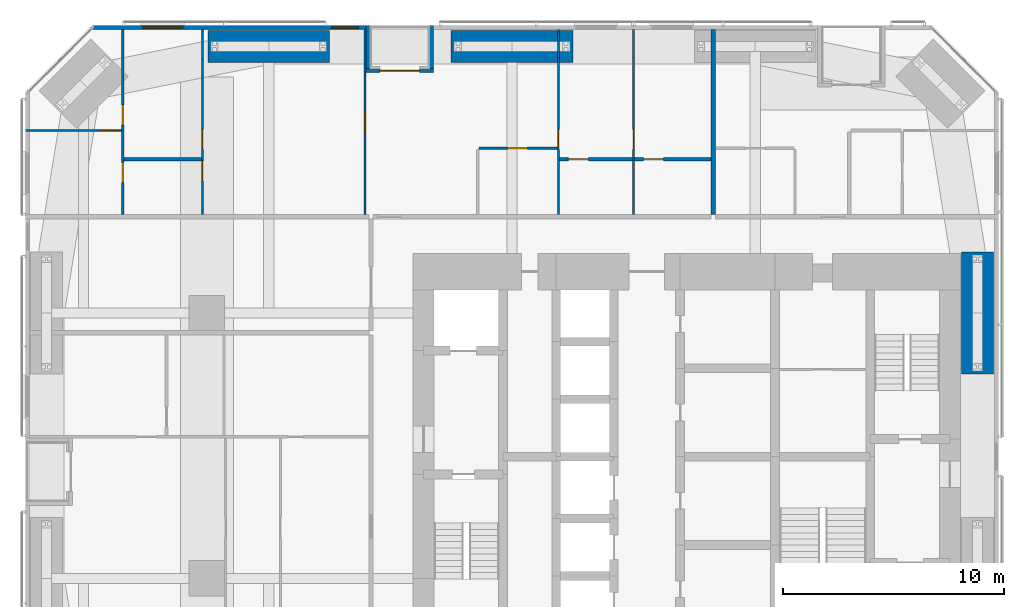
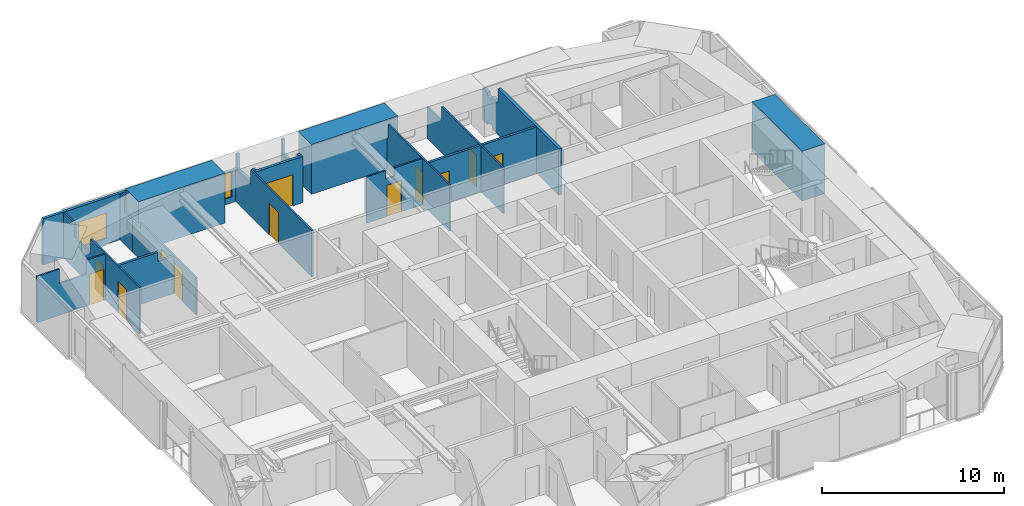
# One storey, part 22 of 24: 19 walls, 12 doors, 2 windows, 14 openings.
"""IFC4 building model written with IfcOpenShell, lengths in metres."""

from ifc_helpers import new_model, si_unit, direction, frame, frame_2d, origin, place, context, subcontext, project, spatial, polyline, rectangle, outline, extrude, material, layer, layer_set, constituent, constituent_set, type_object, element, fill, save


model = new_model("IFC4")

# Units and contexts
model_context = context("Model", 3, precision=1e-05, world=origin(), true_north=direction((0.0, 1.0)))
body_context = subcontext(model_context, "Body", "Model", "MODEL_VIEW")
ifc_project = project(units=[si_unit("LENGTHUNIT", "METRE"), si_unit("AREAUNIT", "SQUARE_METRE"), si_unit("VOLUMEUNIT", "CUBIC_METRE"), si_unit("PLANEANGLEUNIT", "RADIAN"), si_unit("MASSUNIT", "GRAM", prefix="KILO")], contexts=[model_context])

# Site, building, storey
site_placement = place(None, origin())
site = spatial("IfcSite", under=ifc_project, at=site_placement, CompositionType="ELEMENT")
building_placement = place(site_placement, origin())
building = spatial("IfcBuilding", under=site, at=building_placement, Name="Jalousie Tower", CompositionType="ELEMENT")
storey_placement = place(building_placement, frame((0.0, 0.0, 54.5)))
storey = spatial("IfcBuildingStorey", under=building, at=storey_placement, Name="L14", CompositionType="ELEMENT", Elevation=54.5)

# Wall
ifc_material_1 = material(Name="Concrete block ASTM C90", Category="concrete")
ifc_constituent_1 = constituent(ifc_material_1, Name="Body")
ifc_material_2 = material(Name="Render")
ifc_constituent_2 = constituent(ifc_material_2, Name="Finish")
ifc_constituent_set_1 = constituent_set(constituents=[ifc_constituent_1, ifc_constituent_2])
wall_type_1 = type_object("IfcWallType", Name="BATHROOM WALL 150", PredefinedType="PLUMBINGWALL", material=ifc_constituent_set_1)
wall_1_placement = place(storey_placement, frame((6.449951171875, 31.949951171875, 0.0), z_axis=(0.0, 0.0, 1.0), x_axis=(1.0, 0.0, 0.0)))
element("IfcWall", 1, at=wall_1_placement, inside=storey, type_object=wall_type_1, Name="Bathroom Wall 150 L14", PredefinedType="PLUMBINGWALL", context=body_context, shape_type="SweptSolid", body=[
    extrude(outline(polyline([(0.0, 0.0), (3.5, 0.0), (3.5, 3.110107421875), (3.5, 2.510009765625), (2.465087890625, 2.510009765625), (2.465087890625, 3.110107421875), (0.0, 3.110107421875), (0.0, 0.0)])), frame((0.0, 0.074951171875, 0.0), z_axis=(0.0, -1.0, 0.0), x_axis=(1.0, 0.0, 0.0)), (0.0, 0.0, 1.0), 0.14990234375),
])

# Wall, opening, door
wall_2_placement = place(storey_placement, frame((26.14990234375, 31.949951171875, 0.0), z_axis=(0.0, 0.0, 1.0), x_axis=(1.0, 0.0, 0.0)))
wall_2 = element("IfcWall", 2, at=wall_2_placement, inside=storey, type_object=wall_type_1, Name="Bathroom Wall 150 L14", PredefinedType="PLUMBINGWALL", context=body_context, shape_type="SweptSolid", body=[
    extrude(rectangle(XDim=3.300048828125, YDim=0.14990234375, at=frame_2d((1.64990234375, 0.0))), origin(), (0.0, 0.0, 1.0), 3.110107421875),
])
opening_1_placement = place(wall_2_placement, frame((0.39990234375, 0.0, 0.0)))
opening_1 = element("IfcOpeningElement", 3, at=opening_1_placement, cuts=wall_2, Name="Opening D3", PredefinedType="OPENING", context=body_context, shape_type="SweptSolid", body=[
    extrude(rectangle(XDim=0.89990234375, YDim=2.10009765625, at=frame_2d((0.449951171875, 1.050048828125))), frame((0.0, 0.0849609375, 0.0), z_axis=(0.0, -1.0, 0.0), x_axis=(1.0, 0.0, 0.0)), (0.0, 0.0, 1.0), 0.169921875),
])
ifc_material_3 = material(Name="Timber door", Category="wood")
door_type_1 = type_object("IfcDoorType", Name="BATHROOM DOOR 900", OperationType="SINGLE_SWING_LEFT", PredefinedType="DOOR", material=ifc_material_3)
door_1_placement = place(opening_1_placement, frame((0.89990234375, 0.0, 0.0), z_axis=(0.0, 0.0, 1.0), x_axis=(-1.0, 0.0, 0.0)))
door_1 = element("IfcDoor", 4, at=door_1_placement, inside=storey, type_object=door_type_1, Name="Apartment 1403 bedroom 3 bathroom door", OperationType="SINGLE_SWING_RIGHT", OverallHeight=2.10009765625, OverallWidth=0.89990234375, PredefinedType="DOOR", context=body_context, shape_type="SweptSolid", body=[
    extrude(rectangle(XDim=0.89990234375, YDim=2.10009765625, at=frame_2d((0.449951171875, 1.050048828125))), frame((0.0, 0.02490234375, 0.0), z_axis=(0.0, -1.0, 0.0), x_axis=(1.0, 0.0, 0.0)), (0.0, 0.0, 1.0), 0.050048828125),
])
fill(opening_1, door_1)

wall_3_placement = place(storey_placement, frame((29.550048828125, 31.949951171875, 0.0), z_axis=(0.0, 0.0, 1.0), x_axis=(1.0, 0.0, 0.0)))
wall_3 = element("IfcWall", 5, at=wall_3_placement, inside=storey, type_object=wall_type_1, Name="Bathroom Wall 150 L14", PredefinedType="PLUMBINGWALL", context=body_context, shape_type="SweptSolid", body=[
    extrude(rectangle(XDim=3.449951171875, YDim=0.14990234375, at=frame_2d((1.72509765625, 0.0))), origin(), (0.0, 0.0, 1.0), 3.110107421875),
])
opening_2_placement = place(wall_3_placement, frame((0.39990234375, 0.0, 0.0)))
opening_2 = element("IfcOpeningElement", 6, at=opening_2_placement, cuts=wall_3, Name="Opening D3", PredefinedType="OPENING", context=body_context, shape_type="SweptSolid", body=[
    extrude(rectangle(XDim=0.89990234375, YDim=2.10009765625, at=frame_2d((0.449951171875, 1.050048828125))), frame((0.0, 0.0849609375, 0.0), z_axis=(0.0, -1.0, 0.0), x_axis=(1.0, 0.0, 0.0)), (0.0, 0.0, 1.0), 0.169921875),
])
door_2_placement = place(opening_2_placement, frame((0.89990234375, 0.0, 0.0), z_axis=(0.0, 0.0, 1.0), x_axis=(-1.0, 0.0, 0.0)))
door_2 = element("IfcDoor", 7, at=door_2_placement, inside=storey, type_object=door_type_1, Name="Apartment 1403 bedroom 4 bathroom door", OperationType="SINGLE_SWING_RIGHT", OverallHeight=2.10009765625, OverallWidth=0.89990234375, PredefinedType="DOOR", context=body_context, shape_type="SweptSolid", body=[
    extrude(rectangle(XDim=0.89990234375, YDim=2.10009765625, at=frame_2d((0.449951171875, 1.050048828125))), frame((0.0, 0.02490234375, 0.0), z_axis=(0.0, -1.0, 0.0), x_axis=(1.0, 0.0, 0.0)), (0.0, 0.0, 1.0), 0.050048828125),
])
fill(opening_2, door_2)

# Wall, openings, windows
ifc_material_4 = material(Name="Concrete f'c 40 MPa", Category="concrete")
ifc_constituent_3 = constituent(ifc_material_4, Name="Body")
ifc_material_5 = material(Name="Render, pastel coral")
ifc_constituent_4 = constituent(ifc_material_5, Name="Finish")
ifc_constituent_set_2 = constituent_set(constituents=[ifc_constituent_3, ifc_constituent_4])
wall_type_2 = type_object("IfcWallType", Name="EXTERNAL WALL 175 CORAL RENDER", PredefinedType="SOLIDWALL", material=ifc_constituent_set_2)
wall_4_placement = place(storey_placement, frame((17.39990234375, 37.91259765625, 0.0), z_axis=(0.0, 0.0, 1.0), x_axis=(-1.0, 0.0, 0.0)))
wall_4 = element("IfcWall", 8, at=wall_4_placement, inside=storey, type_object=wall_type_2, Name="External Wall 175 Coral Render L14", PredefinedType="SOLIDWALL", context=body_context, shape_type="SweptSolid", body=[
    extrude(outline(polyline([(0.0, 0.0), (12.3486328125, 0.0), (12.3486328125, 3.110107421875), (4.60400390625, 3.110107421875), (4.60400390625, 2.14990234375), (4.5556640625, 2.14990234375), (4.5556640625, 3.110107421875), (4.39990234375, 3.110107421875), (4.39990234375, 2.14990234375), (0.0, 2.14990234375), (0.0, 0.0)])), frame((0.0, 0.08740234375, 0.0), z_axis=(0.0, -1.0, 0.0), x_axis=(1.0, 0.0, 0.0)), (0.0, 0.0, 1.0), 0.175048828125),
])
opening_3_placement = place(wall_4_placement, frame((0.35009765625, 0.0, 0.39990234375)))
opening_3 = element("IfcOpeningElement", 9, at=opening_3_placement, cuts=wall_4, Name="Opening W-COR170", PredefinedType="OPENING", context=body_context, shape_type="SweptSolid", body=[
    extrude(rectangle(XDim=1.199951171875, YDim=1.699951171875, at=frame_2d((0.60009765625, 0.85009765625))), frame((0.0, 0.097412109375, 0.0), z_axis=(0.0, -1.0, 0.0), x_axis=(1.0, 0.0, 0.0)), (0.0, 0.0, 1.0), 0.195068359375),
])
opening_4_placement = place(wall_4_placement, frame((8.300048828125, 0.0, 0.39990234375)))
opening_4 = element("IfcOpeningElement", 10, at=opening_4_placement, cuts=wall_4, Name="Opening W-BED170", PredefinedType="OPENING", context=body_context, shape_type="SweptSolid", body=[
    extrude(rectangle(XDim=1.800048828125, YDim=1.699951171875, at=frame_2d((0.89990234375, 0.85009765625))), frame((0.0, 0.097412109375, 0.0), z_axis=(0.0, -1.0, 0.0), x_axis=(1.0, 0.0, 0.0)), (0.0, 0.0, 1.0), 0.195068359375),
])
ifc_material_6 = material(Name="Aluminium frame, impact-rated glazing", Category="aluminium")
window_type_1 = type_object("IfcWindowType", Name="WINDOW BED 1800x1700", PartitioningType="SINGLE_PANEL", PredefinedType="WINDOW", material=ifc_material_6)
window_1_placement = place(opening_4_placement, origin())
window_1 = element("IfcWindow", 11, at=window_1_placement, inside=storey, type_object=window_type_1, Name="Apartment 1403 bedroom 2 window", OverallHeight=1.699951171875, OverallWidth=1.800048828125, PartitioningType="SINGLE_PANEL", PredefinedType="WINDOW", context=body_context, shape_type="SweptSolid", body=[
    extrude(rectangle(XDim=1.800048828125, YDim=1.699951171875, at=frame_2d((0.89990234375, 0.85009765625))), frame((0.0, 0.030029296875, 0.0), z_axis=(0.0, -1.0, 0.0), x_axis=(1.0, 0.0, 0.0)), (0.0, 0.0, 1.0), 0.06005859375),
])
fill(opening_4, window_1)
ifc_material_7 = material(Name="Aluminium frame, impact-rated glazing", Category="aluminium")
window_type_2 = type_object("IfcWindowType", Name="WINDOW COR 1200x1700", PartitioningType="SINGLE_PANEL", PredefinedType="WINDOW", material=ifc_material_7)
window_2_placement = place(opening_3_placement, origin())
window_2 = element("IfcWindow", 12, at=window_2_placement, inside=storey, type_object=window_type_2, Name="Apartment 1403 dining room window", OverallHeight=1.699951171875, OverallWidth=1.199951171875, PartitioningType="SINGLE_PANEL", PredefinedType="WINDOW", context=body_context, shape_type="SweptSolid", body=[
    extrude(rectangle(XDim=1.199951171875, YDim=1.699951171875, at=frame_2d((0.60009765625, 0.85009765625))), frame((0.0, 0.030029296875, 0.0), z_axis=(0.0, -1.0, 0.0), x_axis=(1.0, 0.0, 0.0)), (0.0, 0.0, 1.0), 0.06005859375),
])
fill(opening_3, window_2)

# Wall, opening, door
wall_5_placement = place(storey_placement, frame((20.449951171875, 35.96240234375, 0.0), z_axis=(0.0, 0.0, 1.0), x_axis=(-1.0, 0.0, 0.0)))
wall_5 = element("IfcWall", 13, at=wall_5_placement, inside=storey, type_object=wall_type_2, Name="External Wall 175 Coral Render L14", PredefinedType="SOLIDWALL", context=body_context, shape_type="SweptSolid", body=[
    extrude(rectangle(XDim=3.050048828125, YDim=0.175048828125, at=frame_2d((1.52490234375, 0.0))), origin(), (0.0, 0.0, 1.0), 3.110107421875),
])
opening_5_placement = place(wall_5_placement, frame((0.625, 0.0, 0.0)))
opening_5 = element("IfcOpeningElement", 14, at=opening_5_placement, cuts=wall_5, Name="Opening D-BAL21", PredefinedType="OPENING", context=body_context, shape_type="SweptSolid", body=[
    extrude(rectangle(XDim=1.800048828125, YDim=2.10009765625, at=frame_2d((0.89990234375, 1.050048828125))), frame((0.0, 0.097412109375, 0.0), z_axis=(0.0, -1.0, 0.0), x_axis=(1.0, 0.0, 0.0)), (0.0, 0.0, 1.0), 0.195068359375),
])
ifc_material_8 = material(Name="Aluminium frame, impact-rated glazing", Category="aluminium")
door_type_2 = type_object("IfcDoorType", Name="BALCONY DOOR 1800x2100", OperationType="SLIDING_TO_LEFT", PredefinedType="DOOR", material=ifc_material_8)
door_3_placement = place(opening_5_placement, origin())
door_3 = element("IfcDoor", 15, at=door_3_placement, inside=storey, type_object=door_type_2, Name="Apartment 1403 living room loggia door", OperationType="SLIDING_TO_LEFT", OverallHeight=2.10009765625, OverallWidth=1.800048828125, PredefinedType="DOOR", context=body_context, shape_type="SweptSolid", body=[
    extrude(rectangle(XDim=1.800048828125, YDim=2.10009765625, at=frame_2d((0.89990234375, 1.050048828125))), frame((0.0, 0.02490234375, 0.0), z_axis=(0.0, -1.0, 0.0), x_axis=(1.0, 0.0, 0.0)), (0.0, 0.0, 1.0), 0.050048828125),
])
fill(opening_5, door_3)

# Walls
for number, where, z_axis, x_axis, name in (
    (16, (20.362548828125, 38.0, 0.0), (0.0, 0.0, 1.0), (0.0, -1.0, 0.0), "External Wall 175 Coral Render L14"),
    (17, (17.487548828125, 38.0, 0.0), (0.0, 0.0, 1.0), (0.0, -1.0, 0.0), "External Wall 175 Coral Render L14"),
):
    element("IfcWall", number, at=place(storey_placement, frame(where, z_axis=z_axis, x_axis=x_axis)), inside=storey, type_object=wall_type_2, Name=name, PredefinedType="SOLIDWALL", context=body_context, shape_type="SweptSolid", body=[
        extrude(outline(polyline([(0.0, 0.0), (1.949951171875, 0.0), (1.949951171875, 3.110107421875), (1.75, 3.110107421875), (1.75, 2.14990234375), (0.14990234375, 2.14990234375), (0.14990234375, 3.110107421875), (0.0, 3.110107421875), (0.0, 0.0)])), frame((0.0, 0.08740234375, 0.0), z_axis=(0.0, -1.0, 0.0), x_axis=(1.0, 0.0, 0.0)), (0.0, 0.0, 1.0), 0.175048828125),
    ])

# Wall, openings, doors
ifc_material_9 = material(Name="Gypsum board", Category="gypsum")
ifc_constituent_5 = constituent(ifc_material_9, Name="Body")
ifc_material_10 = material(Name="Light-gauge steel studs ASTM A653 SS Grade 33", Category="steel")
ifc_constituent_6 = constituent(ifc_material_10, Name="Framing")
ifc_constituent_set_3 = constituent_set(constituents=[ifc_constituent_5, ifc_constituent_6])
wall_type_3 = type_object("IfcWallType", Name="PARTITION 100", PredefinedType="PARTITIONING", material=ifc_constituent_set_3)
wall_6_placement = place(storey_placement, frame((6.39990234375, 37.824951171875, 0.0), z_axis=(0.0, 0.0, 1.0), x_axis=(0.0, -1.0, 0.0)))
wall_6 = element("IfcWall", 18, at=wall_6_placement, inside=storey, type_object=wall_type_3, Name="Partition 100 L14", PredefinedType="PARTITIONING", context=body_context, shape_type="SweptSolid", body=[
    extrude(outline(polyline([(0.0, 0.0), (8.375, 0.0), (8.375, 3.110107421875), (2.978271484375, 3.110107421875), (2.978271484375, 2.14990234375), (1.223876953125, 2.14990234375), (1.223876953125, 3.110107421875), (0.0, 3.110107421875), (0.0, 0.0)])), frame((0.0, 0.050048828125, 0.0), z_axis=(0.0, -1.0, 0.0), x_axis=(1.0, 0.0, 0.0)), (0.0, 0.0, 1.0), 0.10009765625),
])
opening_6_placement = place(wall_6_placement, frame((3.421630859375, 0.0, 0.0)))
opening_6 = element("IfcOpeningElement", 19, at=opening_6_placement, cuts=wall_6, Name="Opening D2", PredefinedType="OPENING", context=body_context, shape_type="SweptSolid", body=[
    extrude(rectangle(XDim=0.89990234375, YDim=2.10009765625, at=frame_2d((0.449951171875, 1.050048828125))), frame((0.0, 0.06005859375, 0.0), z_axis=(0.0, -1.0, 0.0), x_axis=(1.0, 0.0, 0.0)), (0.0, 0.0, 1.0), 0.1201171875),
])
opening_7_placement = place(wall_6_placement, frame((6.023193359375, 0.0, 0.0)))
opening_7 = element("IfcOpeningElement", 20, at=opening_7_placement, cuts=wall_6, Name="Opening D3", PredefinedType="OPENING", context=body_context, shape_type="SweptSolid", body=[
    extrude(rectangle(XDim=0.89990234375, YDim=2.10009765625, at=frame_2d((0.449951171875, 1.050048828125))), frame((0.0, 0.06005859375, 0.0), z_axis=(0.0, -1.0, 0.0), x_axis=(1.0, 0.0, 0.0)), (0.0, 0.0, 1.0), 0.1201171875),
])
door_4_placement = place(opening_7_placement, origin())
door_4 = element("IfcDoor", 21, at=door_4_placement, inside=storey, type_object=door_type_1, Name="Apartment 1403 bedroom 1 bathroom door", OperationType="SINGLE_SWING_LEFT", OverallHeight=2.10009765625, OverallWidth=0.89990234375, PredefinedType="DOOR", context=body_context, shape_type="SweptSolid", body=[
    extrude(rectangle(XDim=0.89990234375, YDim=2.10009765625, at=frame_2d((0.449951171875, 1.050048828125))), frame((0.0, 0.02490234375, 0.0), z_axis=(0.0, -1.0, 0.0), x_axis=(1.0, 0.0, 0.0)), (0.0, 0.0, 1.0), 0.050048828125),
])
fill(opening_7, door_4)
ifc_material_11 = material(Name="Timber door", Category="wood")
door_type_3 = type_object("IfcDoorType", Name="BEDROOM DOOR 900", OperationType="SINGLE_SWING_LEFT", PredefinedType="DOOR", material=ifc_material_11)
door_5_placement = place(opening_6_placement, origin())
door_5 = element("IfcDoor", 22, at=door_5_placement, inside=storey, type_object=door_type_3, Name="Apartment 1403 bedroom 1 door", OperationType="SINGLE_SWING_RIGHT", OverallHeight=2.10009765625, OverallWidth=0.89990234375, PredefinedType="DOOR", context=body_context, shape_type="SweptSolid", body=[
    extrude(rectangle(XDim=0.89990234375, YDim=2.10009765625, at=frame_2d((0.449951171875, 1.050048828125))), frame((0.0, 0.02490234375, 0.0), z_axis=(0.0, -1.0, 0.0), x_axis=(1.0, 0.0, 0.0)), (0.0, 0.0, 1.0), 0.050048828125),
])
fill(opening_6, door_5)

# Wall
wall_7_placement = place(storey_placement, frame((10.0, 37.824951171875, 0.0), z_axis=(0.0, 0.0, 1.0), x_axis=(0.0, -1.0, 0.0)))
element("IfcWall", 23, at=wall_7_placement, inside=storey, type_object=wall_type_3, Name="Partition 100 L14-A", PredefinedType="PARTITIONING", context=body_context, shape_type="SweptSolid", body=[
    extrude(outline(polyline([(0.0, 0.0), (1.337646484375, 0.0), (1.337646484375, 2.14990234375), (0.50048828125, 2.14990234375), (0.50048828125, 3.110107421875), (0.0, 3.110107421875), (0.0, 0.0)])), frame((0.0, 0.050048828125, 0.0), z_axis=(0.0, -1.0, 0.0), x_axis=(1.0, 0.0, 0.0)), (0.0, 0.0, 1.0), 0.10009765625),
])

# Wall, openings, doors
wall_8_placement = place(storey_placement, frame((10.0, 36.4873046875, 0.0), z_axis=(0.0, 0.0, 1.0), x_axis=(0.0, -1.0, 0.0)))
wall_8 = element("IfcWall", 24, at=wall_8_placement, inside=storey, type_object=wall_type_3, Name="Partition 100 L14-B", PredefinedType="PARTITIONING", context=body_context, shape_type="SweptSolid", body=[
    extrude(outline(polyline([(0.0, 0.0), (7.037353515625, 0.0), (7.037353515625, 2.510009765625), (0.917236328125, 2.510009765625), (0.917236328125, 2.14990234375), (0.0, 2.14990234375), (0.0, 0.0)])), frame((0.0, 0.050048828125, 0.0), z_axis=(0.0, -1.0, 0.0), x_axis=(1.0, 0.0, 0.0)), (0.0, 0.0, 1.0), 0.10009765625),
])
opening_8_placement = place(wall_8_placement, frame((3.1875, 0.0, 0.0)))
opening_8 = element("IfcOpeningElement", 25, at=opening_8_placement, cuts=wall_8, Name="Opening D2", PredefinedType="OPENING", context=body_context, shape_type="SweptSolid", body=[
    extrude(rectangle(XDim=0.89990234375, YDim=2.10009765625, at=frame_2d((0.449951171875, 1.050048828125))), frame((0.0, 0.06005859375, 0.0), z_axis=(0.0, -1.0, 0.0), x_axis=(1.0, 0.0, 0.0)), (0.0, 0.0, 1.0), 0.1201171875),
])
opening_9_placement = place(wall_8_placement, frame((4.6123046875, 0.0, 0.0)))
opening_9 = element("IfcOpeningElement", 26, at=opening_9_placement, cuts=wall_8, Name="Opening D7", PredefinedType="OPENING", context=body_context, shape_type="SweptSolid", body=[
    extrude(rectangle(XDim=0.89990234375, YDim=2.10009765625, at=frame_2d((0.449951171875, 1.050048828125))), frame((0.0, 0.06005859375, 0.0), z_axis=(0.0, -1.0, 0.0), x_axis=(1.0, 0.0, 0.0)), (0.0, 0.0, 1.0), 0.1201171875),
])
door_6_placement = place(opening_8_placement, frame((0.89990234375, 0.0, 0.0), z_axis=(0.0, 0.0, 1.0), x_axis=(-1.0, 0.0, 0.0)))
door_6 = element("IfcDoor", 27, at=door_6_placement, inside=storey, type_object=door_type_3, Name="Apartment 1403 bedroom 2 door", OperationType="SINGLE_SWING_LEFT", OverallHeight=2.10009765625, OverallWidth=0.89990234375, PredefinedType="DOOR", context=body_context, shape_type="SweptSolid", body=[
    extrude(rectangle(XDim=0.89990234375, YDim=2.10009765625, at=frame_2d((0.449951171875, 1.050048828125))), frame((0.0, 0.02490234375, 0.0), z_axis=(0.0, -1.0, 0.0), x_axis=(1.0, 0.0, 0.0)), (0.0, 0.0, 1.0), 0.050048828125),
])
fill(opening_8, door_6)
ifc_material_12 = material(Name="Timber door", Category="wood")
door_type_4 = type_object("IfcDoorType", Name="INTERNAL DOOR 900", OperationType="SINGLE_SWING_LEFT", PredefinedType="DOOR", material=ifc_material_12)
door_7_placement = place(opening_9_placement, frame((0.89990234375, 0.0, 0.0), z_axis=(0.0, 0.0, 1.0), x_axis=(-1.0, 0.0, 0.0)))
door_7 = element("IfcDoor", 28, at=door_7_placement, inside=storey, type_object=door_type_4, Name="Apartment 1403 bathroom door", OperationType="SINGLE_SWING_RIGHT", OverallHeight=2.10009765625, OverallWidth=0.89990234375, PredefinedType="DOOR", context=body_context, shape_type="SweptSolid", body=[
    extrude(rectangle(XDim=0.89990234375, YDim=2.10009765625, at=frame_2d((0.449951171875, 1.050048828125))), frame((0.0, 0.02490234375, 0.0), z_axis=(0.0, -1.0, 0.0), x_axis=(1.0, 0.0, 0.0)), (0.0, 0.0, 1.0), 0.050048828125),
])
fill(opening_9, door_7)

# Wall, opening, door
wall_9_placement = place(storey_placement, frame((26.10009765625, 37.824951171875, 0.0), z_axis=(0.0, 0.0, 1.0), x_axis=(0.0, -1.0, 0.0)))
wall_9 = element("IfcWall", 29, at=wall_9_placement, inside=storey, type_object=wall_type_3, Name="Partition 100 L14", PredefinedType="PARTITIONING", context=body_context, shape_type="SweptSolid", body=[
    extrude(outline(polyline([(0.52880859375, 2.14990234375), (0.0, 2.14990234375), (0.0, 0.0), (0.52880859375, 0.0), (0.52880859375, 0.0341796875), (1.021240234375, 0.0341796875), (1.021240234375, 0.0), (8.375, 0.0), (8.375, 3.110107421875), (1.635009765625, 3.110107421875), (1.635009765625, 2.14990234375), (1.021240234375, 2.14990234375), (1.021240234375, 2.11572265625), (0.52880859375, 2.11572265625), (0.52880859375, 2.14990234375)])), frame((0.0, 0.050048828125, 0.0), z_axis=(0.0, -1.0, 0.0), x_axis=(1.0, 0.0, 0.0)), (0.0, 0.0, 1.0), 0.10009765625),
])
opening_10_placement = place(wall_9_placement, frame((4.52490234375, 0.0, 0.0)))
opening_10 = element("IfcOpeningElement", 30, at=opening_10_placement, cuts=wall_9, Name="Opening D2", PredefinedType="OPENING", context=body_context, shape_type="SweptSolid", body=[
    extrude(rectangle(XDim=0.89990234375, YDim=2.10009765625, at=frame_2d((0.449951171875, 1.050048828125))), frame((0.0, 0.06005859375, 0.0), z_axis=(0.0, -1.0, 0.0), x_axis=(1.0, 0.0, 0.0)), (0.0, 0.0, 1.0), 0.1201171875),
])
door_8_placement = place(opening_10_placement, origin())
door_8 = element("IfcDoor", 31, at=door_8_placement, inside=storey, type_object=door_type_3, Name="Apartment 1403 bedroom 3 door", OperationType="SINGLE_SWING_RIGHT", OverallHeight=2.10009765625, OverallWidth=0.89990234375, PredefinedType="DOOR", context=body_context, shape_type="SweptSolid", body=[
    extrude(rectangle(XDim=0.89990234375, YDim=2.10009765625, at=frame_2d((0.449951171875, 1.050048828125))), frame((0.0, 0.02490234375, 0.0), z_axis=(0.0, -1.0, 0.0), x_axis=(1.0, 0.0, 0.0)), (0.0, 0.0, 1.0), 0.050048828125),
])
fill(opening_10, door_8)

wall_10_placement = place(storey_placement, frame((29.5, 37.824951171875, 0.0), z_axis=(0.0, 0.0, 1.0), x_axis=(0.0, -1.0, 0.0)))
wall_10 = element("IfcWall", 32, at=wall_10_placement, inside=storey, type_object=wall_type_3, Name="Partition 100 L14", PredefinedType="PARTITIONING", context=body_context, shape_type="SweptSolid", body=[
    extrude(outline(polyline([(0.0, 0.0), (8.375, 0.0), (8.375, 3.110107421875), (1.635009765625, 3.110107421875), (1.635009765625, 2.14990234375), (0.0, 2.14990234375), (0.0, 3.110107421875), (0.0, 0.0)])), frame((0.0, 0.050048828125, 0.0), z_axis=(0.0, -1.0, 0.0), x_axis=(1.0, 0.0, 0.0)), (0.0, 0.0, 1.0), 0.10009765625),
])
opening_11_placement = place(wall_10_placement, frame((4.52490234375, 0.0, 0.0)))
opening_11 = element("IfcOpeningElement", 33, at=opening_11_placement, cuts=wall_10, Name="Opening D2", PredefinedType="OPENING", context=body_context, shape_type="SweptSolid", body=[
    extrude(rectangle(XDim=0.89990234375, YDim=2.10009765625, at=frame_2d((0.449951171875, 1.050048828125))), frame((0.0, 0.06005859375, 0.0), z_axis=(0.0, -1.0, 0.0), x_axis=(1.0, 0.0, 0.0)), (0.0, 0.0, 1.0), 0.1201171875),
])
door_9_placement = place(opening_11_placement, origin())
door_9 = element("IfcDoor", 34, at=door_9_placement, inside=storey, type_object=door_type_3, Name="Apartment 1403 bedroom 4 door", OperationType="SINGLE_SWING_RIGHT", OverallHeight=2.10009765625, OverallWidth=0.89990234375, PredefinedType="DOOR", context=body_context, shape_type="SweptSolid", body=[
    extrude(rectangle(XDim=0.89990234375, YDim=2.10009765625, at=frame_2d((0.449951171875, 1.050048828125))), frame((0.0, 0.02490234375, 0.0), z_axis=(0.0, -1.0, 0.0), x_axis=(1.0, 0.0, 0.0)), (0.0, 0.0, 1.0), 0.050048828125),
])
fill(opening_11, door_9)

wall_11_placement = place(storey_placement, frame((2.0, 33.25341796875, 0.0), z_axis=(0.0, 0.0, 1.0), x_axis=(1.0, 0.0, 0.0)))
wall_11 = element("IfcWall", 35, at=wall_11_placement, inside=storey, type_object=wall_type_3, Name="Partition 100 L14", PredefinedType="PARTITIONING", context=body_context, shape_type="SweptSolid", body=[
    extrude(outline(polyline([(0.0, 0.0), (4.35009765625, 0.0), (4.35009765625, 3.110107421875), (3.15966796875, 3.110107421875), (3.15966796875, 2.14990234375), (1.4169921875, 2.14990234375), (1.4169921875, 3.110107421875), (0.0, 3.110107421875), (0.0, 0.0)])), frame((0.0, 0.050048828125, 0.0), z_axis=(0.0, -1.0, 0.0), x_axis=(1.0, 0.0, 0.0)), (0.0, 0.0, 1.0), 0.10009765625),
])
opening_12_placement = place(wall_11_placement, frame((3.35009765625, 0.0, 0.0)))
opening_12 = element("IfcOpeningElement", 36, at=opening_12_placement, cuts=wall_11, Name="Opening D7", PredefinedType="OPENING", context=body_context, shape_type="SweptSolid", body=[
    extrude(rectangle(XDim=0.89990234375, YDim=2.10009765625, at=frame_2d((0.449951171875, 1.050048828125))), frame((0.0, 0.06005859375, 0.0), z_axis=(0.0, -1.0, 0.0), x_axis=(1.0, 0.0, 0.0)), (0.0, 0.0, 1.0), 0.1201171875),
])
door_10_placement = place(opening_12_placement, frame((0.89990234375, 0.0, 0.0), z_axis=(0.0, 0.0, 1.0), x_axis=(-1.0, 0.0, 0.0)))
door_10 = element("IfcDoor", 37, at=door_10_placement, inside=storey, type_object=door_type_4, Name="Apartment 1403 bedroom 1 dressing hall door", OperationType="SINGLE_SWING_LEFT", OverallHeight=2.10009765625, OverallWidth=0.89990234375, PredefinedType="DOOR", context=body_context, shape_type="SweptSolid", body=[
    extrude(rectangle(XDim=0.89990234375, YDim=2.10009765625, at=frame_2d((0.449951171875, 1.050048828125))), frame((0.0, 0.02490234375, 0.0), z_axis=(0.0, -1.0, 0.0), x_axis=(1.0, 0.0, 0.0)), (0.0, 0.0, 1.0), 0.050048828125),
])
fill(opening_12, door_10)

wall_12_placement = place(storey_placement, frame((22.5, 32.449951171875, 0.0), z_axis=(0.0, 0.0, 1.0), x_axis=(1.0, 0.0, 0.0)))
wall_12 = element("IfcWall", 38, at=wall_12_placement, inside=storey, type_object=wall_type_3, Name="Partition 100 L14", PredefinedType="PARTITIONING", context=body_context, shape_type="SweptSolid", body=[
    extrude(outline(polyline([(0.0, 0.0), (3.550048828125, 0.0), (3.550048828125, 3.110107421875), (1.787353515625, 3.110107421875), (1.787353515625, 2.541015625), (1.212646484375, 2.541015625), (1.212646484375, 3.110107421875), (0.0, 3.110107421875), (0.0, 0.0)])), frame((0.0, 0.050048828125, 0.0), z_axis=(0.0, -1.0, 0.0), x_axis=(1.0, 0.0, 0.0)), (0.0, 0.0, 1.0), 0.10009765625),
])
opening_13_placement = place(wall_12_placement, frame((1.300048828125, 0.0, 0.0)))
opening_13 = element("IfcOpeningElement", 39, at=opening_13_placement, cuts=wall_12, Name="Opening D7", PredefinedType="OPENING", context=body_context, shape_type="SweptSolid", body=[
    extrude(rectangle(XDim=0.89990234375, YDim=2.10009765625, at=frame_2d((0.449951171875, 1.050048828125))), frame((0.0, 0.06005859375, 0.0), z_axis=(0.0, -1.0, 0.0), x_axis=(1.0, 0.0, 0.0)), (0.0, 0.0, 1.0), 0.1201171875),
])
door_11_placement = place(opening_13_placement, frame((0.89990234375, 0.0, 0.0), z_axis=(0.0, 0.0, 1.0), x_axis=(-1.0, 0.0, 0.0)))
door_11 = element("IfcDoor", 40, at=door_11_placement, inside=storey, type_object=door_type_4, Name="Apartment 1403 kitchen door", OperationType="SINGLE_SWING_RIGHT", OverallHeight=2.10009765625, OverallWidth=0.89990234375, PredefinedType="DOOR", context=body_context, shape_type="SweptSolid", body=[
    extrude(rectangle(XDim=0.89990234375, YDim=2.10009765625, at=frame_2d((0.449951171875, 1.050048828125))), frame((0.0, 0.02490234375, 0.0), z_axis=(0.0, -1.0, 0.0), x_axis=(1.0, 0.0, 0.0)), (0.0, 0.0, 1.0), 0.050048828125),
])
fill(opening_13, door_11)

wall_13_placement = place(storey_placement, frame((17.35009765625, 37.824951171875, 0.0), z_axis=(0.0, 0.0, 1.0), x_axis=(0.0, -1.0, 0.0)))
wall_13 = element("IfcWall", 41, at=wall_13_placement, inside=storey, type_object=wall_type_3, Name="Partition 100 L14", PredefinedType="PARTITIONING", context=body_context, shape_type="SweptSolid", body=[
    extrude(outline(polyline([(0.0, 0.0), (8.375, 0.0), (8.375, 3.110107421875), (1.635009765625, 3.110107421875), (1.635009765625, 2.14990234375), (0.0, 2.14990234375), (0.0, 3.110107421875), (0.0, 0.0)])), frame((0.0, 0.050048828125, 0.0), z_axis=(0.0, -1.0, 0.0), x_axis=(1.0, 0.0, 0.0)), (0.0, 0.0, 1.0), 0.10009765625),
])
opening_14_placement = place(wall_13_placement, frame((3.6875, 0.0, 0.0)))
opening_14 = element("IfcOpeningElement", 42, at=opening_14_placement, cuts=wall_13, Name="Opening D6", PredefinedType="OPENING", context=body_context, shape_type="SweptSolid", body=[
    extrude(rectangle(XDim=1.0, YDim=2.10009765625, at=frame_2d((0.5, 1.050048828125))), frame((0.0, 0.06005859375, 0.0), z_axis=(0.0, -1.0, 0.0), x_axis=(1.0, 0.0, 0.0)), (0.0, 0.0, 1.0), 0.1201171875),
])
ifc_material_13 = material(Name="Timber door", Category="wood")
door_type_5 = type_object("IfcDoorType", Name="INTERNAL DOOR 1000", OperationType="SINGLE_SWING_LEFT", PredefinedType="DOOR", material=ifc_material_13)
door_12_placement = place(opening_14_placement, frame((1.0, 0.0, 0.0), z_axis=(0.0, 0.0, 1.0), x_axis=(-1.0, 0.0, 0.0)))
door_12 = element("IfcDoor", 43, at=door_12_placement, inside=storey, type_object=door_type_5, Name="Apartment 1403 dining room door", OperationType="SINGLE_SWING_RIGHT", OverallHeight=2.10009765625, OverallWidth=1.0, PredefinedType="DOOR", context=body_context, shape_type="SweptSolid", body=[
    extrude(rectangle(XDim=1.0, YDim=2.10009765625, at=frame_2d((0.5, 1.050048828125))), frame((0.0, 0.02490234375, 0.0), z_axis=(0.0, -1.0, 0.0), x_axis=(1.0, 0.0, 0.0)), (0.0, 0.0, 1.0), 0.050048828125),
])
fill(opening_14, door_12)

# Walls
ifc_material_14 = material(Name="Concrete block ASTM C90", Category="concrete")
ifc_constituent_7 = constituent(ifc_material_14, Name="Body")
ifc_material_15 = material(Name="Render")
ifc_constituent_8 = constituent(ifc_material_15, Name="Finish")
ifc_constituent_set_4 = constituent_set(constituents=[ifc_constituent_7, ifc_constituent_8])
wall_type_4 = type_object("IfcWallType", Name="PARTY WALL 200", PredefinedType="PARTITIONING", material=ifc_constituent_set_4)
wall_14_placement = place(storey_placement, frame((33.10009765625, 37.824951171875, 0.0), z_axis=(0.0, 0.0, 1.0), x_axis=(0.0, -1.0, 0.0)))
element("IfcWall", 44, at=wall_14_placement, inside=storey, type_object=wall_type_4, Name="Party Wall 200 L14", PredefinedType="PARTITIONING", context=body_context, shape_type="SweptSolid", body=[
    extrude(outline(polyline([(0.52880859375, 2.14990234375), (0.0, 2.14990234375), (0.0, 0.0), (0.52880859375, 0.0), (0.52880859375, 0.205078125), (1.021240234375, 0.205078125), (1.021240234375, 0.0), (8.375, 0.0), (8.375, 3.110107421875), (1.68505859375, 3.110107421875), (1.68505859375, 2.14990234375), (1.021240234375, 2.14990234375), (1.021240234375, 1.94482421875), (0.52880859375, 1.94482421875), (0.52880859375, 2.14990234375)])), frame((0.0, 0.10009765625, 0.0), z_axis=(0.0, -1.0, 0.0), x_axis=(1.0, 0.0, 0.0)), (0.0, 0.0, 1.0), 0.199951171875),
])
ifc_material_16 = material(Name="Concrete f'c 120 MPa", Category="concrete")
ifc_layer = layer(ifc_material_16, 1.449951171875)
ifc_layer_set = layer_set([ifc_layer], Name="Concrete f'c 120 MPa")
wall_type_5 = type_object("IfcWallType", Name="RC WALL PIER 1450", PredefinedType="SHEAR", material=ifc_layer_set)
for number, where, z_axis, x_axis, name in (
    (45, (45.050048828125, 22.25, 0.0), (0.0, 0.0, 1.0), (0.0, 1.0, 0.0), "Wall pier 07 L14"),
    (46, (21.25, 37.050048828125, 0.0), (0.0, 0.0, 1.0), (1.0, 0.0, 0.0), "Wall pier 10 L14"),
    (47, (10.25, 37.050048828125, 0.0), (0.0, 0.0, 1.0), (1.0, 0.0, 0.0), "Wall pier 11 L14"),
):
    element("IfcWall", number, at=place(storey_placement, frame(where, z_axis=z_axis, x_axis=x_axis)), inside=storey, type_object=wall_type_5, Name=name, PredefinedType="SHEAR", context=body_context, shape_type="SweptSolid", body=[
        extrude(rectangle(XDim=5.5, YDim=1.449951171875, at=frame_2d((2.75, 0.0))), origin(), (0.0, 0.0, 1.0), 3.35009765625),
    ])

save(model, "model.ifc")
